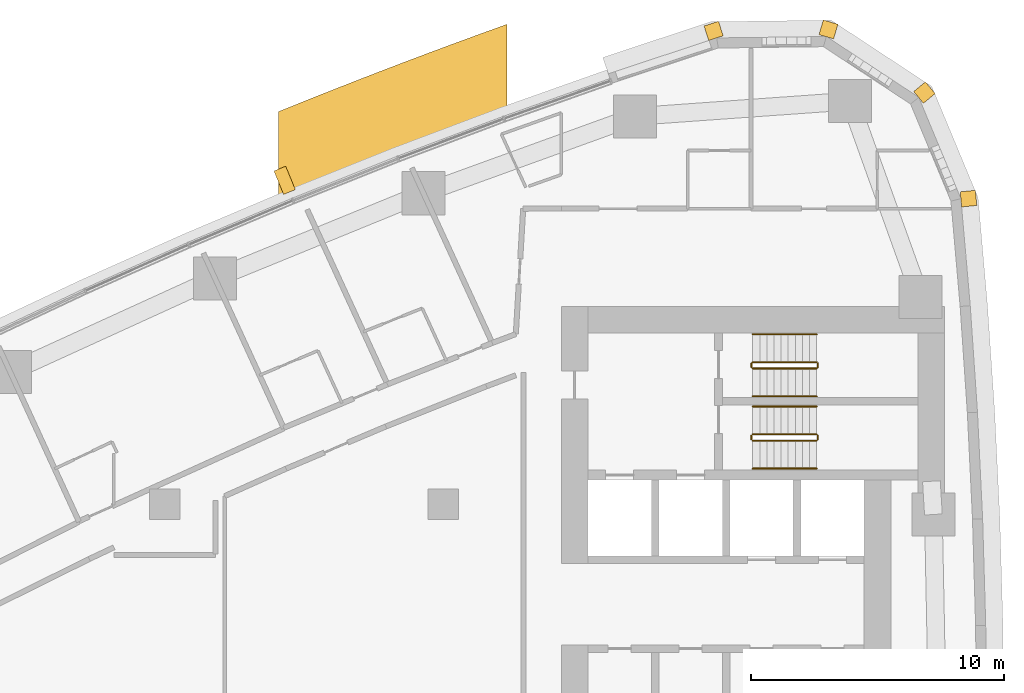
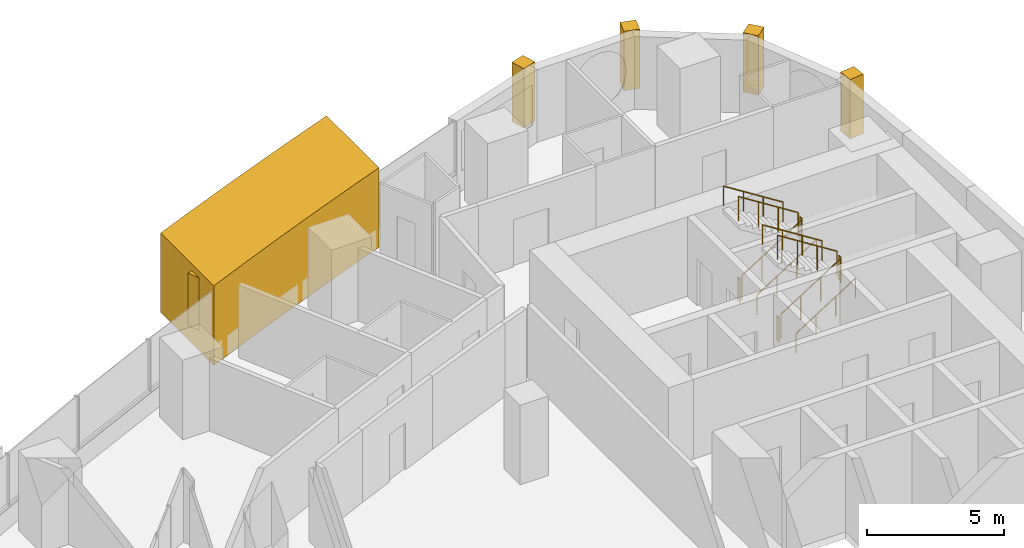
# One storey, part 17 of 17: 12 railings, 6 coverings.
"""IFC4 building model written with IfcOpenShell, lengths in metres."""

from ifc_helpers import new_model, si_unit, direction, frame, frame_2d, origin, origin_2d, place, context, subcontext, project, spatial, polyline, rectangle, circle, outline, extrude, material, layer, layer_set, type_object, element, save


model = new_model("IFC4")

# Units and contexts
model_context = context("Model", 3, precision=1e-05, world=origin(), true_north=direction((0.0, 1.0)))
body_context = subcontext(model_context, "Body", "Model", "MODEL_VIEW")
ifc_project = project(units=[si_unit("LENGTHUNIT", "METRE"), si_unit("AREAUNIT", "SQUARE_METRE"), si_unit("VOLUMEUNIT", "CUBIC_METRE"), si_unit("PLANEANGLEUNIT", "RADIAN"), si_unit("MASSUNIT", "GRAM", prefix="KILO")], contexts=[model_context])

# Site, building, storey
site_placement = place(None, origin())
site = spatial("IfcSite", under=ifc_project, at=site_placement, CompositionType="ELEMENT")
building_placement = place(site_placement, origin())
building = spatial("IfcBuilding", under=site, at=building_placement, Name="Ostrand Prow Hotel Tower", CompositionType="ELEMENT")
storey_placement = place(building_placement, frame((0.0, 0.0, 99.10009765625)))
storey = spatial("IfcBuildingStorey", under=building, at=storey_placement, Name="L23", CompositionType="ELEMENT", Elevation=99.10009765625)

# Coverings
ifc_material_1 = material(Name="Limestone cladding", Category="masonry")
ifc_layer_1 = layer(ifc_material_1, 5.0)
ifc_layer_set_1 = layer_set([ifc_layer_1], Name="Limestone cladding")
covering_type_1 = type_object("IfcCoveringType", Name="Portal jamb pilaster limestone", PredefinedType="CLADDING", material=ifc_layer_set_1)
covering_1_placement = place(storey_placement, origin())
element("IfcCovering", 1, at=covering_1_placement, inside=storey, type_object=covering_type_1, Name="Portal jamb NB L23", PredefinedType="CLADDING", context=body_context, shape_type="SweptSolid", body=[
    extrude(outline(polyline([(38.5, 20.59423828125), (39.5, 21.006103515625), (40.5, 21.412353515625), (41.5, 21.812744140625), (42.5, 22.207763671875), (43.5, 22.59716796875), (44.5, 22.98095703125), (45.5, 23.359130859375), (46.5, 23.732177734375), (47.5, 24.099609375), (47.5, 27.927490234375), (46.5, 27.566650390625), (45.5, 27.200439453125), (44.5, 26.8291015625), (43.5, 26.4521484375), (42.5, 26.06982421875), (41.5, 25.68212890625), (40.5, 25.2890625), (39.5, 24.890380859375), (38.5, 24.486083984375), (38.5, 20.59423828125)])), origin(), (0.0, 0.0, 1.0), 3.5498046875),
])
ifc_material_2 = material(Name="Limestone cladding", Category="masonry")
ifc_layer_2 = layer(ifc_material_2, 0.5)
ifc_layer_set_2 = layer_set([ifc_layer_2], Name="Limestone cladding")
covering_type_2 = type_object("IfcCoveringType", Name="Precast stone fin 500x900", PredefinedType="CLADDING", material=ifc_layer_set_2)
covering_2_placement = place(storey_placement, frame((38.9248046875, 21.310791015625, 0.89990234375), z_axis=(0.0, 0.0, 1.0), x_axis=(-0.380172536546, 0.924915586665, 0.0)))
element("IfcCovering", 2, at=covering_2_placement, inside=storey, type_object=covering_type_2, Name="Stone fin N 4", PredefinedType="CLADDING", context=body_context, shape_type="SweptSolid", body=[
    extrude(rectangle(XDim=1.0, YDim=0.5, at=frame_2d((0.5, 0.0))), origin(), (0.0, 0.0, 1.0), 2.35009765625),
])
ifc_material_3 = material(Name="Limestone cladding", Category="masonry")
ifc_layer_3 = layer(ifc_material_3, 0.60009765625)
ifc_layer_set_3 = layer_set([ifc_layer_3], Name="Limestone cladding")
covering_type_3 = type_object("IfcCoveringType", Name="Precast stone prow rib 600x600", PredefinedType="CLADDING", material=ifc_layer_set_3)
for number, where, z_axis, x_axis, name in (
    (3, (65.41650390625, 21.02099609375, 0.599853515625), (0.0, 0.0, 1.0), (0.99529571972, 0.096883591531, 0.0), "Stone corner rib 15a"),
    (4, (63.74365234375, 25.043212890625, 0.599853515625), (0.0, 0.0, 1.0), (0.770318500913, 0.637659319034, 0.0), "Stone corner rib 16a"),
):
    element("IfcCovering", number, at=place(storey_placement, frame(where, z_axis=z_axis, x_axis=x_axis)), inside=storey, type_object=covering_type_3, Name=name, PredefinedType="CLADDING", context=body_context, shape_type="SweptSolid", body=[
        extrude(rectangle(XDim=0.599853515625, YDim=0.60009765625, at=frame_2d((0.2998046875, 0.0))), origin(), (0.0, 0.0, 1.0), 2.650146484375),
    ])
covering_3_placement = place(storey_placement, frame((60.104736328125, 27.437744140625, 0.599853515625), z_axis=(0.0, 0.0, 1.0), x_axis=(0.280734221166, 0.959785547436, 0.0)))
element("IfcCovering", 5, at=covering_3_placement, inside=storey, type_object=covering_type_3, Name="Stone corner rib 17a", PredefinedType="CLADDING", context=body_context, shape_type="SweptSolid", body=[
    extrude(rectangle(XDim=0.60009765625, YDim=0.60009765625, at=frame_2d((0.300048828125, 0.0))), origin(), (0.0, 0.0, 1.0), 2.650146484375),
])
covering_4_placement = place(storey_placement, frame((55.7490234375, 27.3828125, 0.599853515625), z_axis=(0.0, 0.0, 1.0), x_axis=(-0.305218682065, 0.952282288042, 0.0)))
element("IfcCovering", 6, at=covering_4_placement, inside=storey, type_object=covering_type_3, Name="Stone corner rib 17b", PredefinedType="CLADDING", context=body_context, shape_type="SweptSolid", body=[
    extrude(rectangle(XDim=0.599853515625, YDim=0.60009765625, at=frame_2d((0.2998046875, 0.0))), origin(), (0.0, 0.0, 1.0), 2.650146484375),
])

# Railings
ifc_material_4 = material(Name="Painted steel", Category="steel")
railing_type_1 = type_object("IfcRailingType", Name="Stair guard 1100", PredefinedType="GUARDRAIL", material=ifc_material_4)
railing_1_placement = place(storey_placement, frame((57.199951171875, 11.5, 0.177490234375)))
element("IfcRailing", 7, at=railing_1_placement, inside=storey, type_object=railing_type_1, Name="L23 ST1C stair guard 1", PredefinedType="GUARDRAIL", context=body_context, shape_type="SweptSolid", body=[
    extrude(circle(Radius=0.02392578125, at=origin_2d()), frame((0.0, 0.0, 1.076171875), z_axis=(0.84460694969, 0.0, 0.535386869969), x_axis=(0.0, 1.0, 0.0)), (0.0, 0.0, 1.0), 2.983642578125),
    extrude(circle(Radius=0.02099609375, at=origin_2d()), origin(), (0.0, 0.0, 1.0), 1.052001953125),
    extrude(circle(Radius=0.02099609375, at=origin_2d()), frame((0.840087890625, 0.0, 0.532470703125)), (0.0, 0.0, 1.0), 1.052001953125),
    extrude(circle(Radius=0.02099609375, at=origin_2d()), frame((1.679931640625, 0.0, 1.06494140625)), (0.0, 0.0, 1.0), 1.052001953125),
    extrude(circle(Radius=0.02099609375, at=origin_2d()), frame((2.52001953125, 0.0, 1.597412109375)), (0.0, 0.0, 1.0), 1.052001953125),
])
railing_2_placement = place(storey_placement, frame((59.77001953125, 11.550048828125, 1.77490234375)))
element("IfcRailing", 8, at=railing_2_placement, inside=storey, type_object=railing_type_1, Name="L23 ST1C stair guard 2", PredefinedType="GUARDRAIL", context=body_context, shape_type="SweptSolid", body=[
    extrude(circle(Radius=0.02392578125, at=origin_2d()), frame((0.0, 0.0, 1.076171875), z_axis=(0.0, 1.0, 0.0), x_axis=(-1.0, 0.0, 0.0)), (0.0, 0.0, 1.0), 0.14990234375),
    extrude(circle(Radius=0.02099609375, at=origin_2d()), origin(), (0.0, 0.0, 1.0), 1.052001953125),
    extrude(circle(Radius=0.02099609375, at=origin_2d()), frame((0.0, 0.14990234375, 0.0)), (0.0, 0.0, 1.0), 1.052001953125),
])
railing_3_placement = place(storey_placement, frame((59.719970703125, 11.75, 1.952392578125)))
element("IfcRailing", 9, at=railing_3_placement, inside=storey, type_object=railing_type_1, Name="L23 ST1C stair guard 3", PredefinedType="GUARDRAIL", context=body_context, shape_type="SweptSolid", body=[
    extrude(circle(Radius=0.02392578125, at=origin_2d()), frame((0.0, 0.0, 1.076171875), z_axis=(-0.84460694969, 0.0, 0.535386869969), x_axis=(0.0, -1.0, 0.0)), (0.0, 0.0, 1.0), 2.983642578125),
    extrude(circle(Radius=0.02099609375, at=origin_2d()), origin(), (0.0, 0.0, 1.0), 1.052001953125),
    extrude(circle(Radius=0.02099609375, at=origin_2d()), frame((-0.840087890625, 0.0, 0.532470703125)), (0.0, 0.0, 1.0), 1.052001953125),
    extrude(circle(Radius=0.02099609375, at=origin_2d()), frame((-1.679931640625, 0.0, 1.06494140625)), (0.0, 0.0, 1.0), 1.052001953125),
    extrude(circle(Radius=0.02099609375, at=origin_2d()), frame((-2.52001953125, 0.0, 1.597412109375)), (0.0, 0.0, 1.0), 1.052001953125),
])
railing_4_placement = place(storey_placement, frame((57.14990234375, 11.550048828125, 0.0)))
element("IfcRailing", 10, at=railing_4_placement, inside=storey, type_object=railing_type_1, Name="L23 ST1C stair guard 4", PredefinedType="GUARDRAIL", context=body_context, shape_type="SweptSolid", body=[
    extrude(circle(Radius=0.02392578125, at=origin_2d()), frame((0.0, 0.0, 1.076171875), z_axis=(0.0, 1.0, 0.0), x_axis=(-1.0, 0.0, 0.0)), (0.0, 0.0, 1.0), 0.14990234375),
    extrude(circle(Radius=0.02099609375, at=origin_2d()), origin(), (0.0, 0.0, 1.0), 1.052001953125),
    extrude(circle(Radius=0.02099609375, at=origin_2d()), frame((0.0, 0.14990234375, 0.0)), (0.0, 0.0, 1.0), 1.052001953125),
])
railing_5_placement = place(storey_placement, frame((57.199951171875, 14.35009765625, 0.177490234375)))
element("IfcRailing", 11, at=railing_5_placement, inside=storey, type_object=railing_type_1, Name="L23 ST3C stair guard 1", PredefinedType="GUARDRAIL", context=body_context, shape_type="SweptSolid", body=[
    extrude(circle(Radius=0.02392578125, at=origin_2d()), frame((0.0, 0.0, 1.076171875), z_axis=(0.84460694969, 0.0, 0.535386869969), x_axis=(0.0, 1.0, 0.0)), (0.0, 0.0, 1.0), 2.983642578125),
    extrude(circle(Radius=0.02099609375, at=origin_2d()), origin(), (0.0, 0.0, 1.0), 1.052001953125),
    extrude(circle(Radius=0.02099609375, at=origin_2d()), frame((0.840087890625, 0.0, 0.532470703125)), (0.0, 0.0, 1.0), 1.052001953125),
    extrude(circle(Radius=0.02099609375, at=origin_2d()), frame((1.679931640625, 0.0, 1.06494140625)), (0.0, 0.0, 1.0), 1.052001953125),
    extrude(circle(Radius=0.02099609375, at=origin_2d()), frame((2.52001953125, 0.0, 1.597412109375)), (0.0, 0.0, 1.0), 1.052001953125),
])
railing_6_placement = place(storey_placement, frame((59.77001953125, 14.39990234375, 1.77490234375)))
element("IfcRailing", 12, at=railing_6_placement, inside=storey, type_object=railing_type_1, Name="L23 ST3C stair guard 2", PredefinedType="GUARDRAIL", context=body_context, shape_type="SweptSolid", body=[
    extrude(circle(Radius=0.02392578125, at=origin_2d()), frame((0.0, 0.0, 1.076171875), z_axis=(0.0, 1.0, 0.0), x_axis=(-1.0, 0.0, 0.0)), (0.0, 0.0, 1.0), 0.150146484375),
    extrude(circle(Radius=0.02099609375, at=origin_2d()), origin(), (0.0, 0.0, 1.0), 1.052001953125),
    extrude(circle(Radius=0.02099609375, at=origin_2d()), frame((0.0, 0.150146484375, 0.0)), (0.0, 0.0, 1.0), 1.052001953125),
])
railing_7_placement = place(storey_placement, frame((59.719970703125, 14.60009765625, 1.952392578125)))
element("IfcRailing", 13, at=railing_7_placement, inside=storey, type_object=railing_type_1, Name="L23 ST3C stair guard 3", PredefinedType="GUARDRAIL", context=body_context, shape_type="SweptSolid", body=[
    extrude(circle(Radius=0.02392578125, at=origin_2d()), frame((0.0, 0.0, 1.076171875), z_axis=(-0.84460694969, 0.0, 0.535386869969), x_axis=(0.0, -1.0, 0.0)), (0.0, 0.0, 1.0), 2.983642578125),
    extrude(circle(Radius=0.02099609375, at=origin_2d()), origin(), (0.0, 0.0, 1.0), 1.052001953125),
    extrude(circle(Radius=0.02099609375, at=origin_2d()), frame((-0.840087890625, 0.0, 0.532470703125)), (0.0, 0.0, 1.0), 1.052001953125),
    extrude(circle(Radius=0.02099609375, at=origin_2d()), frame((-1.679931640625, 0.0, 1.06494140625)), (0.0, 0.0, 1.0), 1.052001953125),
    extrude(circle(Radius=0.02099609375, at=origin_2d()), frame((-2.52001953125, 0.0, 1.597412109375)), (0.0, 0.0, 1.0), 1.052001953125),
])
railing_8_placement = place(storey_placement, frame((57.14990234375, 14.39990234375, 0.0)))
element("IfcRailing", 14, at=railing_8_placement, inside=storey, type_object=railing_type_1, Name="L23 ST3C stair guard 4", PredefinedType="GUARDRAIL", context=body_context, shape_type="SweptSolid", body=[
    extrude(circle(Radius=0.02392578125, at=origin_2d()), frame((0.0, 0.0, 1.076171875), z_axis=(0.0, 1.0, 0.0), x_axis=(-1.0, 0.0, 0.0)), (0.0, 0.0, 1.0), 0.150146484375),
    extrude(circle(Radius=0.02099609375, at=origin_2d()), origin(), (0.0, 0.0, 1.0), 1.052001953125),
    extrude(circle(Radius=0.02099609375, at=origin_2d()), frame((0.0, 0.150146484375, 0.0)), (0.0, 0.0, 1.0), 1.052001953125),
])
ifc_material_5 = material(Name="Stainless steel", Category="steel")
railing_type_2 = type_object("IfcRailingType", Name="Stair handrail 900", PredefinedType="HANDRAIL", material=ifc_material_5)
railing_9_placement = place(storey_placement, frame((57.199951171875, 10.39990234375, 0.177490234375)))
element("IfcRailing", 15, at=railing_9_placement, inside=storey, type_object=railing_type_2, Name="L23 ST1C stair handrail 1", PredefinedType="HANDRAIL", context=body_context, shape_type="SweptSolid", body=[
    extrude(circle(Radius=0.02392578125, at=origin_2d()), frame((0.0, 0.0, 0.8759765625), z_axis=(0.84460694969, 0.0, 0.535386869969), x_axis=(0.0, 1.0, 0.0)), (0.0, 0.0, 1.0), 2.983642578125),
    extrude(circle(Radius=0.02099609375, at=origin_2d()), origin(), (0.0, 0.0, 1.0), 0.851806640625),
    extrude(circle(Radius=0.02099609375, at=origin_2d()), frame((0.840087890625, 0.0, 0.532470703125)), (0.0, 0.0, 1.0), 0.851806640625),
    extrude(circle(Radius=0.02099609375, at=origin_2d()), frame((1.679931640625, 0.0, 1.06494140625)), (0.0, 0.0, 1.0), 0.851806640625),
    extrude(circle(Radius=0.02099609375, at=origin_2d()), frame((2.52001953125, 0.0, 1.597412109375)), (0.0, 0.0, 1.0), 0.851806640625),
])
railing_10_placement = place(storey_placement, frame((59.719970703125, 12.85009765625, 1.952392578125)))
element("IfcRailing", 16, at=railing_10_placement, inside=storey, type_object=railing_type_2, Name="L23 ST1C stair handrail 2", PredefinedType="HANDRAIL", context=body_context, shape_type="SweptSolid", body=[
    extrude(circle(Radius=0.02392578125, at=origin_2d()), frame((0.0, 0.0, 0.8759765625), z_axis=(-0.84460694969, 0.0, 0.535386869969), x_axis=(0.0, -1.0, 0.0)), (0.0, 0.0, 1.0), 2.983642578125),
    extrude(circle(Radius=0.02099609375, at=origin_2d()), origin(), (0.0, 0.0, 1.0), 0.851806640625),
    extrude(circle(Radius=0.02099609375, at=origin_2d()), frame((-0.840087890625, 0.0, 0.532470703125)), (0.0, 0.0, 1.0), 0.851806640625),
    extrude(circle(Radius=0.02099609375, at=origin_2d()), frame((-1.679931640625, 0.0, 1.06494140625)), (0.0, 0.0, 1.0), 0.851806640625),
    extrude(circle(Radius=0.02099609375, at=origin_2d()), frame((-2.52001953125, 0.0, 1.597412109375)), (0.0, 0.0, 1.0), 0.851806640625),
])
railing_11_placement = place(storey_placement, frame((57.199951171875, 13.25, 0.177490234375)))
element("IfcRailing", 17, at=railing_11_placement, inside=storey, type_object=railing_type_2, Name="L23 ST3C stair handrail 1", PredefinedType="HANDRAIL", context=body_context, shape_type="SweptSolid", body=[
    extrude(circle(Radius=0.02392578125, at=origin_2d()), frame((0.0, 0.0, 0.8759765625), z_axis=(0.84460694969, 0.0, 0.535386869969), x_axis=(0.0, 1.0, 0.0)), (0.0, 0.0, 1.0), 2.983642578125),
    extrude(circle(Radius=0.02099609375, at=origin_2d()), origin(), (0.0, 0.0, 1.0), 0.851806640625),
    extrude(circle(Radius=0.02099609375, at=origin_2d()), frame((0.840087890625, 0.0, 0.532470703125)), (0.0, 0.0, 1.0), 0.851806640625),
    extrude(circle(Radius=0.02099609375, at=origin_2d()), frame((1.679931640625, 0.0, 1.06494140625)), (0.0, 0.0, 1.0), 0.851806640625),
    extrude(circle(Radius=0.02099609375, at=origin_2d()), frame((2.52001953125, 0.0, 1.597412109375)), (0.0, 0.0, 1.0), 0.851806640625),
])
railing_12_placement = place(storey_placement, frame((59.719970703125, 15.699951171875, 1.952392578125)))
element("IfcRailing", 18, at=railing_12_placement, inside=storey, type_object=railing_type_2, Name="L23 ST3C stair handrail 2", PredefinedType="HANDRAIL", context=body_context, shape_type="SweptSolid", body=[
    extrude(circle(Radius=0.02392578125, at=origin_2d()), frame((0.0, 0.0, 0.8759765625), z_axis=(-0.84460694969, 0.0, 0.535386869969), x_axis=(0.0, -1.0, 0.0)), (0.0, 0.0, 1.0), 2.983642578125),
    extrude(circle(Radius=0.02099609375, at=origin_2d()), origin(), (0.0, 0.0, 1.0), 0.851806640625),
    extrude(circle(Radius=0.02099609375, at=origin_2d()), frame((-0.840087890625, 0.0, 0.532470703125)), (0.0, 0.0, 1.0), 0.851806640625),
    extrude(circle(Radius=0.02099609375, at=origin_2d()), frame((-1.679931640625, 0.0, 1.06494140625)), (0.0, 0.0, 1.0), 0.851806640625),
    extrude(circle(Radius=0.02099609375, at=origin_2d()), frame((-2.52001953125, 0.0, 1.597412109375)), (0.0, 0.0, 1.0), 0.851806640625),
])

save(model, "model.ifc")
